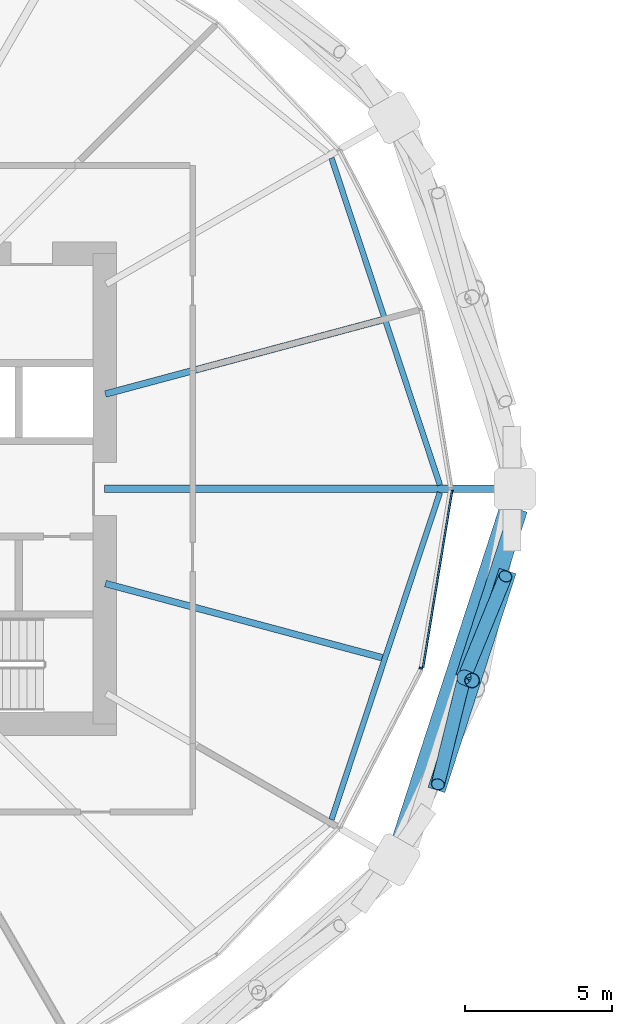
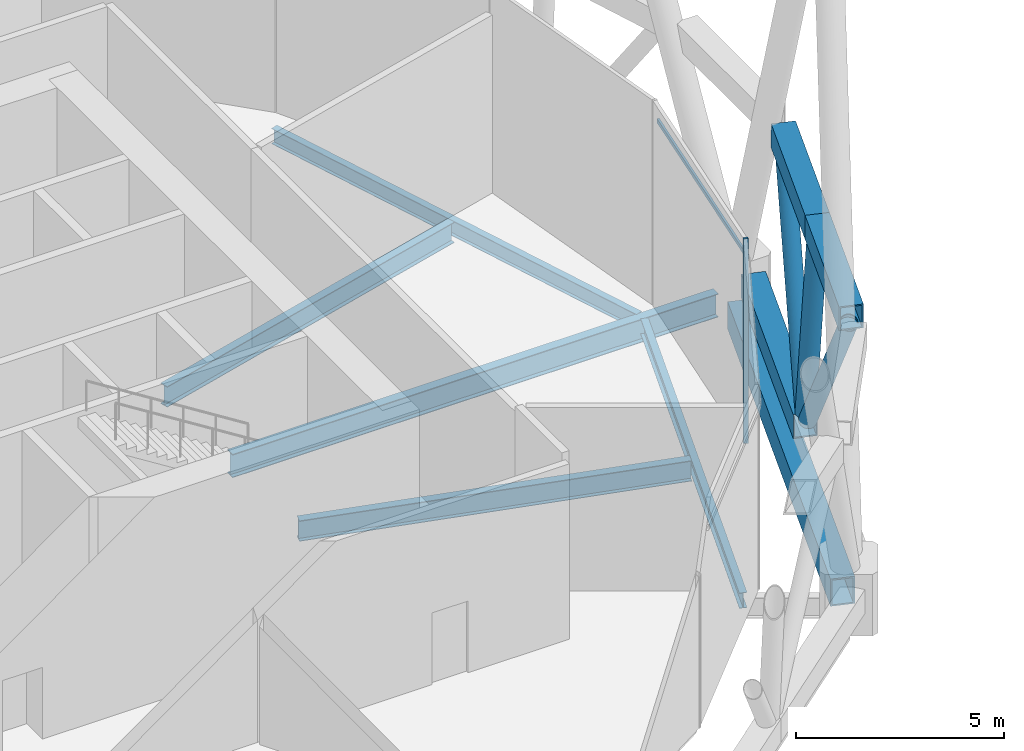
# One storey, part 9 of 33: 8 members, 6 beams, 1 element without a shape of its own.
"""IFC4 building model written with IfcOpenShell, lengths in metres."""

from ifc_helpers import new_model, si_unit, direction, frame, origin, origin_2d, place, context, subcontext, project, spatial, rectangle, hollow_rectangle, hollow_circle, i_section, extrude, material, material_profile, profile_set, type_object, element, aggregate, save


model = new_model("IFC4")

# Units and contexts
model_context = context("Model", 3, precision=1e-05, world=origin(), true_north=direction((0.0, 1.0)))
body_context = subcontext(model_context, "Body", "Model", "MODEL_VIEW")
ifc_project = project(units=[si_unit("LENGTHUNIT", "METRE"), si_unit("AREAUNIT", "SQUARE_METRE"), si_unit("VOLUMEUNIT", "CUBIC_METRE"), si_unit("PLANEANGLEUNIT", "RADIAN"), si_unit("MASSUNIT", "GRAM", prefix="KILO")], contexts=[model_context])

# Site, building, storey
site_placement = place(None, origin())
site = spatial("IfcSite", under=ifc_project, at=site_placement, CompositionType="ELEMENT")
building_placement = place(site_placement, origin())
building = spatial("IfcBuilding", under=site, at=building_placement, Name="Rimbun Link Towers", CompositionType="ELEMENT")
storey_placement = place(building_placement, frame((0.0, 0.0, 75.60009765625)))
storey = spatial("IfcBuildingStorey", under=building, at=storey_placement, Name="L18", CompositionType="ELEMENT", Elevation=75.60009765625)

# Members
ifc_material_1 = material(Name="Steel S460N", Category="steel")
ifc_material_profile_1 = material_profile(ifc_material_1, hollow_rectangle(XDim=0.60009765625, YDim=0.699951171875, WallThickness=0.034912109375, at=origin_2d()), Name="Belt truss chord BOX 600x700x35")
ifc_profile_set_1 = profile_set([ifc_material_profile_1], Name="Steel S460N")
member_type_1 = type_object("IfcMemberType", Name="Belt truss chord BOX 600x700x35", PredefinedType="CHORD", material=ifc_profile_set_1)
member_1_placement = place(storey_placement, frame((-7.51171875, -6.417236328125, 0.18994140625), z_axis=(0.309112714811, 0.951025409514, 0.0), x_axis=(-0.951025409514, 0.309112714811, 0.0)))
element("IfcMember", 1, at=member_1_placement, inside=storey, type_object=member_type_1, Name="Belt truss chord T1 L18 bottom 23", PredefinedType="CHORD", context=body_context, shape_type="SweptSolid", body=[
    extrude(hollow_rectangle(XDim=0.60009765625, YDim=0.699951171875, WallThickness=0.034912109375, at=origin_2d()), origin(), (0.0, 0.0, 1.0), 6.0087890625),
])
member_2_placement = place(storey_placement, frame((-8.456298828125, -10.245849609375, 6.0), z_axis=(0.309111447647, 0.951025821381, 0.0), x_axis=(-0.951025821381, 0.309111447647, 0.0)))
element("IfcMember", 2, at=member_2_placement, inside=storey, type_object=member_type_1, Name="Belt truss chord T1 L18 top 34", PredefinedType="CHORD", context=body_context, shape_type="SweptSolid", body=[
    extrude(hollow_rectangle(XDim=0.60009765625, YDim=0.699951171875, WallThickness=0.034912109375, at=origin_2d()), origin(), (0.0, 0.0, 1.0), 3.916015625),
])
member_3_placement = place(storey_placement, frame((-7.245849609375, -6.521728515625, 6.0), z_axis=(0.309055057174, 0.9510441481, 0.0), x_axis=(-0.9510441481, 0.309055057174, 0.0)))
element("IfcMember", 3, at=member_3_placement, inside=storey, type_object=member_type_1, Name="Belt truss chord T1 L18 top 35", PredefinedType="CHORD", context=body_context, shape_type="SweptSolid", body=[
    extrude(hollow_rectangle(XDim=0.60009765625, YDim=0.699951171875, WallThickness=0.034912109375, at=origin_2d()), origin(), (0.0, 0.0, 1.0), 3.915771484375),
])
ifc_material_2 = material(Name="Steel S355J2H", Category="steel")
ifc_material_profile_2 = material_profile(ifc_material_2, hollow_circle(Radius=0.228515625, WallThickness=0.01611328125, at=origin_2d()), Name="Belt truss diagonal CHS 457x16")
ifc_profile_set_2 = profile_set([ifc_material_profile_2], Name="Steel S355J2H")
member_type_2 = type_object("IfcMemberType", Name="Belt truss diagonal CHS 457x16", PredefinedType="BRACE", material=ifc_profile_set_2)
member_4_placement = place(storey_placement, frame((-7.55859375, -6.608154296875, 0.4794921875), z_axis=(-0.134549791341, -0.545227885807, 0.827419425798), x_axis=(0.970874258335, -0.23958959598, 0.0)))
element("IfcMember", 4, at=member_4_placement, inside=storey, type_object=member_type_2, Name="Belt truss diagonal T1 L18 22", PredefinedType="BRACE", context=body_context, shape_type="SweptSolid", body=[
    extrude(hollow_circle(Radius=0.228515625, WallThickness=0.01611328125, at=origin_2d()), origin(), (0.0, 0.0, 1.0), 6.32177734375),
])
member_5_placement = place(storey_placement, frame((-7.437744140625, -6.236328125, 0.480224609375), z_axis=(0.210764797167, 0.51689863139, 0.829695127828), x_axis=(-0.925981862555, 0.377567994167, 0.0)))
element("IfcMember", 5, at=member_5_placement, inside=storey, type_object=member_type_2, Name="Belt truss diagonal T1 L18 23", PredefinedType="BRACE", context=body_context, shape_type="SweptSolid", body=[
    extrude(hollow_circle(Radius=0.228515625, WallThickness=0.01611328125, at=origin_2d()), origin(), (0.0, 0.0, 1.0), 6.302734375),
])
ifc_material_3 = material(Name="Steel S355J2H", Category="steel")
ifc_material_profile_3 = material_profile(ifc_material_3, hollow_circle(Radius=0.25390625, WallThickness=0.02001953125, at=origin_2d()), Name="Belt truss strut CHS 508x20")
ifc_profile_set_3 = profile_set([ifc_material_profile_3], Name="Steel S355J2H")
member_type_3 = type_object("IfcMemberType", Name="Belt truss strut CHS 508x20", PredefinedType="STRUT", material=ifc_profile_set_3)
member_6_placement = place(storey_placement, frame((-7.51171875, -6.417236328125, 0.539794921875), z_axis=(0.051946987184, -0.020416263099, 0.998441128321), x_axis=(0.365784577752, 0.930699544794, 0.0)))
element("IfcMember", 6, at=member_6_placement, inside=storey, type_object=member_type_3, Name="Belt truss strut T1 L18 11", PredefinedType="STRUT", context=body_context, shape_type="SweptSolid", body=[
    extrude(hollow_circle(Radius=0.25390625, WallThickness=0.02001953125, at=origin_2d()), origin(), (0.0, 0.0, 1.0), 5.1181640625),
])

# Curtain wall, members
ifc_material_4 = material(Name="Aluminium 6063-T6 louvre wall", Category="aluminium")
curtain_wall_type = type_object("IfcCurtainWallType", Name="CW6 plant floor louvre wall", PredefinedType="NOTDEFINED", material=ifc_material_4)
curtain_wall_placement = place(storey_placement, origin())
curtain_wall = element("IfcCurtainWall", 7, at=curtain_wall_placement, inside=storey, type_object=curtain_wall_type, Name="CW6 L18 T1", PredefinedType="NOTDEFINED")
ifc_material_5 = material(Name="Aluminium 6063-T6", Category="aluminium")
ifc_material_profile_4 = material_profile(ifc_material_5, rectangle(XDim=0.1201171875, YDim=0.06005859375, at=origin_2d()), Name="MULLION 60X120")
ifc_profile_set_4 = profile_set([ifc_material_profile_4], Name="Aluminium 6063-T6")
member_type_4 = type_object("IfcMemberType", Name="CW6 mullion 60X120", PredefinedType="MULLION", material=ifc_profile_set_4)
member_7_placement = place(storey_placement, frame((-8.987548828125, -6.102783203125, 0.0), z_axis=(0.0, 0.0, 1.0), x_axis=(0.949163398776, -0.314783802672, 0.0)))
member_7 = element("IfcMember", 8, at=member_7_placement, type_object=member_type_4, Name="CW6 mullion", PredefinedType="MULLION", context=body_context, shape_type="SweptSolid", body=[
    extrude(rectangle(XDim=0.1201171875, YDim=0.06005859375, at=origin_2d()), origin(), (0.0, 0.0, 1.0), 6.0),
])
ifc_material_6 = material(Name="Aluminium 6063-T6", Category="aluminium")
ifc_material_profile_5 = material_profile(ifc_material_6, rectangle(XDim=0.06005859375, YDim=0.1201171875, at=origin_2d()), Name="TRANSOM 60X120")
ifc_profile_set_5 = profile_set([ifc_material_profile_5], Name="Aluminium 6063-T6")
member_type_5 = type_object("IfcMemberType", Name="CW6 transom 60X120", PredefinedType="USERDEFINED", material=ifc_profile_set_5)
member_8_placement = place(storey_placement, frame((-7.920654296875, -0.05078125, 5.39990234375), z_axis=(-0.162265268328, -0.986747172631, 0.0), x_axis=(0.986747172631, -0.162265268328, 0.0)))
member_8 = element("IfcMember", 9, at=member_8_placement, type_object=member_type_5, Name="CW6 transom", ObjectType="TRANSOM", PredefinedType="USERDEFINED", context=body_context, shape_type="SweptSolid", body=[
    extrude(rectangle(XDim=0.06005859375, YDim=0.1201171875, at=origin_2d()), origin(), (0.0, 0.0, 1.0), 6.10546875),
])
aggregate(curtain_wall, [member_7, member_8])

# Beams
ifc_material_7 = material(Name="Steel S355J2", Category="steel")
ifc_material_profile_6 = material_profile(ifc_material_7, hollow_rectangle(XDim=0.60009765625, YDim=0.800048828125, WallThickness=0.0400390625, at=origin_2d()), Name="Exoskeleton ring girder BOX 600x800x40")
ifc_profile_set_6 = profile_set([ifc_material_profile_6], Name="Steel S355J2")
beam_type_1 = type_object("IfcBeamType", Name="Exoskeleton ring girder BOX 600x800x40", PredefinedType="BEAM", material=ifc_profile_set_6)
beam_1_placement = place(storey_placement, frame((-9.678466796875, -11.952392578125, -0.56005859375), z_axis=(0.309072117374, 0.951038603981, 0.0), x_axis=(-0.951038603981, 0.309072117374, 0.0)))
element("IfcBeam", 10, at=beam_1_placement, inside=storey, type_object=beam_type_1, Name="Exoskeleton ring girder L18 11", PredefinedType="BEAM", context=body_context, shape_type="SweptSolid", body=[
    extrude(hollow_rectangle(XDim=0.60009765625, YDim=0.800048828125, WallThickness=0.0400390625, at=origin_2d()), origin(), (0.0, 0.0, 1.0), 11.86767578125),
])
ifc_material_8 = material(Name="Steel S355J2", Category="steel")
ifc_material_profile_7 = material_profile(ifc_material_8, i_section(OverallWidth=0.18994140625, OverallDepth=0.453369140625, WebThickness=0.008544921875, FlangeThickness=0.0126953125, at=origin_2d()), Name="UB 457x191x67")
ifc_profile_set_7 = profile_set([ifc_material_profile_7], Name="Steel S355J2")
beam_type_2 = type_object("IfcBeamType", Name="UB 457x191x67", PredefinedType="BEAM", material=ifc_profile_set_7)
for number, where, z_axis, x_axis, name in (
    (11, (-8.33984375, 0.127685546875, -0.4267578125), (-0.314765206881, 0.949169565745, 0.0), (-0.949169565745, -0.314765206881, 0.0), "Edge beam T1 L18 00-02"),
    (12, (-12.029296875, -11.253173828125, -0.4267578125), (0.314765206881, 0.949169565745, 0.0), (-0.949169565745, 0.314765206881, 0.0), "Edge beam T1 L18 22-00"),
):
    element("IfcBeam", number, at=place(storey_placement, frame(where, z_axis=z_axis, x_axis=x_axis)), inside=storey, type_object=beam_type_2, Name=name, PredefinedType="BEAM", context=body_context, shape_type="SweptSolid", body=[
        extrude(i_section(OverallWidth=0.18994140625, OverallDepth=0.453369140625, WebThickness=0.008544921875, FlangeThickness=0.0126953125, at=origin_2d()), origin(), (0.0, 0.0, 1.0), 11.72119140625),
    ])
ifc_material_9 = material(Name="Steel S355J2", Category="steel")
ifc_material_profile_8 = material_profile(ifc_material_9, i_section(OverallWidth=0.2275390625, OverallDepth=0.6025390625, WebThickness=0.010498046875, FlangeThickness=0.014892578125, at=origin_2d()), Name="UB 610x229x101")
ifc_profile_set_8 = profile_set([ifc_material_profile_8], Name="Steel S355J2")
beam_type_3 = type_object("IfcBeamType", Name="UB 610x229x101", PredefinedType="BEAM", material=ifc_profile_set_8)
for number, where, z_axis, x_axis, name in (
    (13, (-19.719482421875, 3.223388671875, -0.50146484375), (0.96592244871, 0.25883165007, 0.0), (-0.25883165007, 0.96592244871, 0.0), "Radial beam T1 L18 01"),
    (14, (-19.719482421875, -3.223388671875, -0.50146484375), (0.96592244871, -0.25883165007, 0.0), (0.25883165007, 0.96592244871, 0.0), "Radial beam T1 L18 23"),
):
    element("IfcBeam", number, at=place(storey_placement, frame(where, z_axis=z_axis, x_axis=x_axis)), inside=storey, type_object=beam_type_3, Name=name, PredefinedType="BEAM", context=body_context, shape_type="SweptSolid", body=[
        extrude(i_section(OverallWidth=0.2275390625, OverallDepth=0.6025390625, WebThickness=0.010498046875, FlangeThickness=0.014892578125, at=origin_2d()), origin(), (0.0, 0.0, 1.0), 9.74755859375),
    ])
ifc_material_10 = material(Name="Steel S355J2", Category="steel")
ifc_material_profile_9 = material_profile(ifc_material_10, i_section(OverallWidth=0.253662109375, OverallDepth=0.68359375, WebThickness=0.012451171875, FlangeThickness=0.01904296875, at=origin_2d()), Name="UB 686x254x140")
ifc_profile_set_9 = profile_set([ifc_material_profile_9], Name="Steel S355J2")
beam_type_4 = type_object("IfcBeamType", Name="UB 686x254x140", PredefinedType="BEAM", material=ifc_profile_set_9)
beam_2_placement = place(storey_placement, frame((-19.7490234375, 0.0, -0.5419921875), z_axis=(1.0, 0.0, 0.0), x_axis=(0.0, 1.0, 0.0)))
element("IfcBeam", 15, at=beam_2_placement, inside=storey, type_object=beam_type_4, Name="Radial beam T1 L18 00", PredefinedType="BEAM", context=body_context, shape_type="SweptSolid", body=[
    extrude(i_section(OverallWidth=0.253662109375, OverallDepth=0.68359375, WebThickness=0.012451171875, FlangeThickness=0.01904296875, at=origin_2d()), origin(), (0.0, 0.0, 1.0), 13.454833984375),
])

save(model, "model.ifc")
